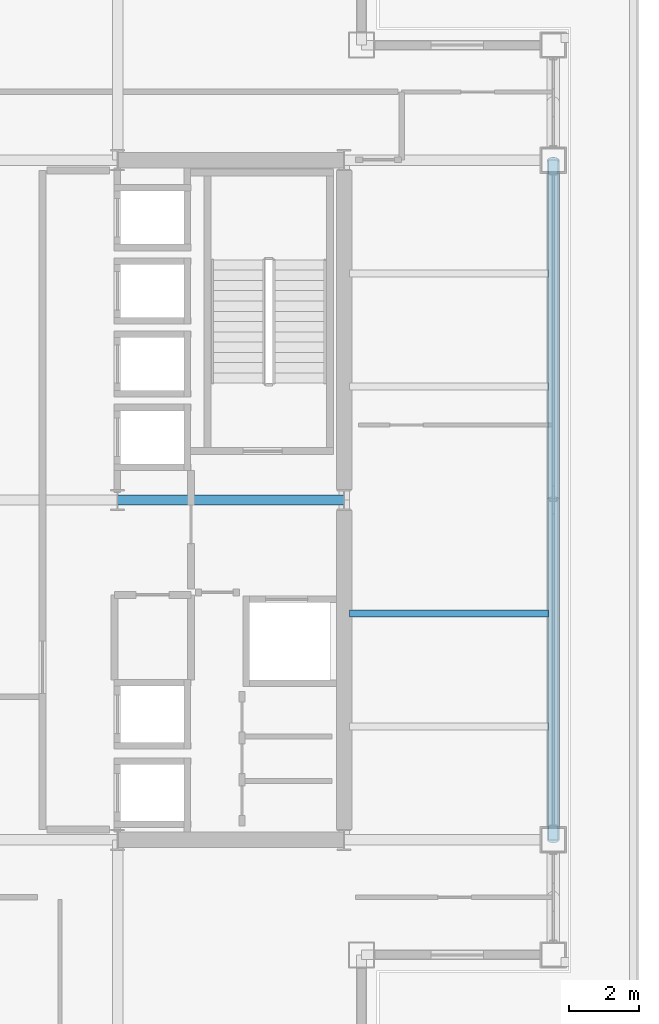
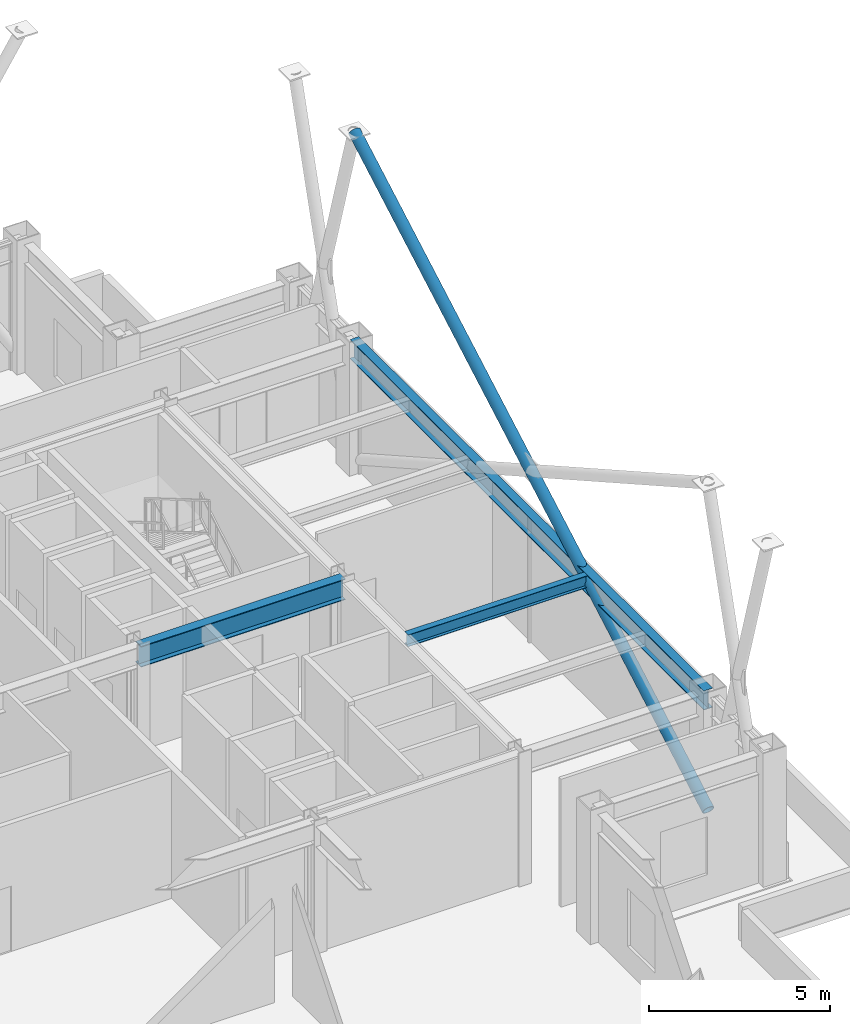
# One storey, part 13 of 24: 3 beams, 1 member.
"""IFC4 building model written with IfcOpenShell, lengths in metres."""

from ifc_helpers import new_model, si_unit, direction, frame, origin, origin_2d, place, context, subcontext, project, spatial, hollow_circle, i_section, extrude, material, material_profile, profile_set, type_object, element, save


model = new_model("IFC4")

# Units and contexts
model_context = context("Model", 3, precision=1e-05, world=origin(), true_north=direction((0.0, 1.0)))
body_context = subcontext(model_context, "Body", "Model", "MODEL_VIEW")
ifc_project = project(units=[si_unit("LENGTHUNIT", "METRE"), si_unit("AREAUNIT", "SQUARE_METRE"), si_unit("VOLUMEUNIT", "CUBIC_METRE"), si_unit("PLANEANGLEUNIT", "RADIAN"), si_unit("MASSUNIT", "GRAM", prefix="KILO")], contexts=[model_context])

# Site, building, storey
site_placement = place(None, origin())
site = spatial("IfcSite", under=ifc_project, at=site_placement, CompositionType="ELEMENT")
building_placement = place(site_placement, origin())
building = spatial("IfcBuilding", under=site, at=building_placement, Name="Brelmoor Portico Tower", CompositionType="ELEMENT")
storey_placement = place(building_placement, frame((0.0, 0.0, 150.60009765625)))
storey = spatial("IfcBuildingStorey", under=building, at=storey_placement, Name="L39", CompositionType="ELEMENT", Elevation=150.60009765625)

# Beams
ifc_material = material(Name="Steel Q355B", Category="steel")
ifc_material_profile_1 = material_profile(ifc_material, i_section(OverallWidth=0.199951171875, OverallDepth=0.39990234375, WebThickness=0.008056640625, FlangeThickness=0.012939453125, at=origin_2d()), Name="HN 400x200x8x13")
ifc_profile_set_1 = profile_set([ifc_material_profile_1], Name="Steel Q355B")
beam_type_1 = type_object("IfcBeamType", Name="BM-JS-400", PredefinedType="JOIST", material=ifc_profile_set_1)
beam_1_placement = place(storey_placement, frame((14.699951171875, -3.25, 4.099853515625), z_axis=(1.0, 0.0, 0.0), x_axis=(0.0, 1.0, 0.0)))
element("IfcBeam", 1, at=beam_1_placement, inside=storey, type_object=beam_type_1, Name="L39 Secondary Wing Joist JS-E08", PredefinedType="JOIST", context=body_context, shape_type="SweptSolid", body=[
    extrude(i_section(OverallWidth=0.199951171875, OverallDepth=0.39990234375, WebThickness=0.008056640625, FlangeThickness=0.012939453125, at=origin_2d()), origin(), (0.0, 0.0, 1.0), 5.7099609375),
])
ifc_material_profile_2 = material_profile(ifc_material, i_section(OverallWidth=0.300048828125, OverallDepth=0.699951171875, WebThickness=0.012939453125, FlangeThickness=0.02392578125, at=origin_2d()), Name="HN 700x300x13x24")
ifc_profile_set_2 = profile_set([ifc_material_profile_2], Name="Steel Q355B")
beam_type_2 = type_object("IfcBeamType", Name="BM-PG-700", PredefinedType="BEAM", material=ifc_profile_set_2)
beam_2_placement = place(storey_placement, frame((8.050048828125, 0.0, 3.949951171875), z_axis=(1.0, 0.0, 0.0), x_axis=(0.0, 1.0, 0.0)))
element("IfcBeam", 2, at=beam_2_placement, inside=storey, type_object=beam_type_2, Name="L39 Primary Floor Girder PG-17", PredefinedType="BEAM", context=body_context, shape_type="SweptSolid", body=[
    extrude(i_section(OverallWidth=0.300048828125, OverallDepth=0.699951171875, WebThickness=0.012939453125, FlangeThickness=0.02392578125, at=origin_2d()), origin(), (0.0, 0.0, 1.0), 6.5),
])
ifc_material_profile_3 = material_profile(ifc_material, i_section(OverallWidth=0.280029296875, OverallDepth=0.64990234375, WebThickness=0.012939453125, FlangeThickness=0.02197265625, at=origin_2d()), Name="HN 650x280x13x22")
ifc_profile_set_3 = profile_set([ifc_material_profile_3], Name="Steel Q355B")
beam_type_3 = type_object("IfcBeamType", Name="BM-SP-650", PredefinedType="SPANDREL", material=ifc_profile_set_3)
beam_3_placement = place(storey_placement, frame((20.550048828125, -9.75, 3.974853515625), z_axis=(0.0, 1.0, 0.0), x_axis=(-1.0, 0.0, 0.0)))
element("IfcBeam", 3, at=beam_3_placement, inside=storey, type_object=beam_type_3, Name="L39 Perimeter Spandrel Beam SP-19", PredefinedType="SPANDREL", context=body_context, shape_type="SweptSolid", body=[
    extrude(i_section(OverallWidth=0.280029296875, OverallDepth=0.64990234375, WebThickness=0.012939453125, FlangeThickness=0.02197265625, at=origin_2d()), origin(), (0.0, 0.0, 1.0), 19.5),
])

# Member
ifc_material_profile_4 = material_profile(ifc_material, hollow_circle(Radius=0.177978515625, WallThickness=0.01611328125, at=origin_2d()), Name="CHS 356x16")
ifc_profile_set_4 = profile_set([ifc_material_profile_4], Name="Steel Q355B")
member_type = type_object("IfcMemberType", Name="MB-BELT-DIAG2", PredefinedType="BRACE", material=ifc_profile_set_4)
member_placement = place(storey_placement, frame((20.550048828125, -9.75, 0.25), z_axis=(0.0, 0.870978467743, 0.491321186932), x_axis=(-1.0, 0.0, 0.0)))
element("IfcMember", 4, at=member_placement, inside=storey, type_object=member_type, Name="L39 Continuous Mega-X Brace 089A", PredefinedType="BRACE", context=body_context, shape_type="SweptSolid", body=[
    extrude(hollow_circle(Radius=0.177978515625, WallThickness=0.01611328125, at=origin_2d()), origin(), (0.0, 0.0, 1.0), 22.388671875),
])

save(model, "model.ifc")
